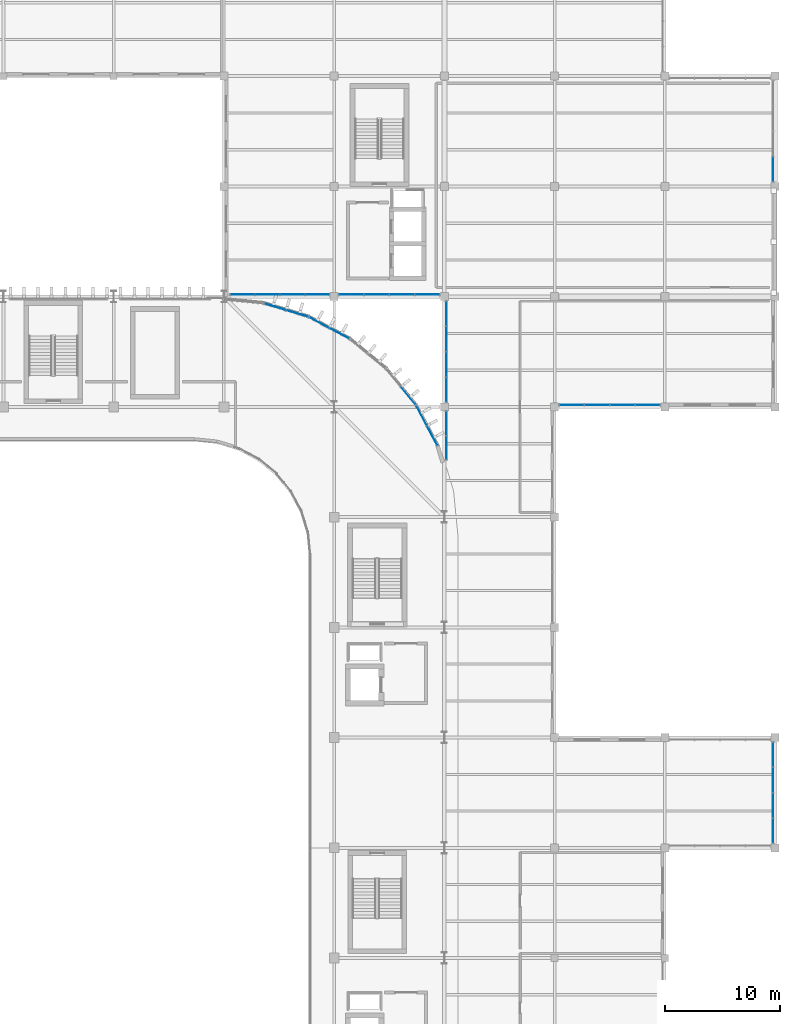
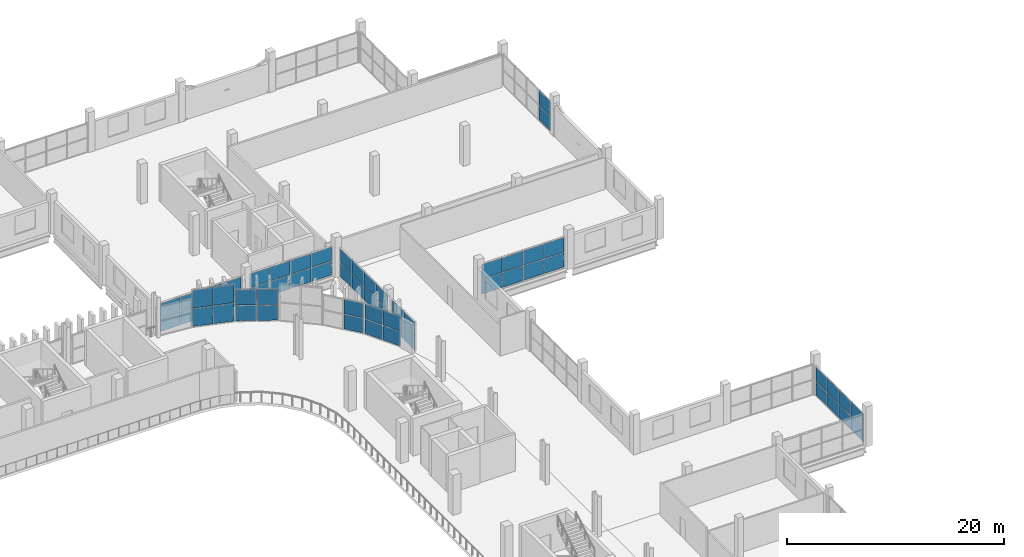
# One storey, part 53 of 92: 60 plates, 11 elements without a shape of their own.
"""IFC4 building model written with IfcOpenShell, lengths in metres."""

from ifc_helpers import new_model, si_unit, direction, frame, origin, origin_2d, place, context, subcontext, project, spatial, rectangle, extrude, material, layer, layer_set, type_object, element, aggregate, save


model = new_model("IFC4")

# Units and contexts
model_context = context("Model", 3, precision=1e-05, world=origin(), true_north=direction((0.0, 1.0)))
body_context = subcontext(model_context, "Body", "Model", "MODEL_VIEW")
ifc_project = project(units=[si_unit("LENGTHUNIT", "METRE"), si_unit("AREAUNIT", "SQUARE_METRE"), si_unit("VOLUMEUNIT", "CUBIC_METRE"), si_unit("PLANEANGLEUNIT", "RADIAN"), si_unit("MASSUNIT", "GRAM", prefix="KILO")], contexts=[model_context])

# Site, building, storey
site_placement = place(None, origin())
site = spatial("IfcSite", under=ifc_project, at=site_placement, CompositionType="ELEMENT")
building_placement = place(site_placement, origin())
building = spatial("IfcBuilding", under=site, at=building_placement, Name="Caelomonte Colonnade Arena", CompositionType="ELEMENT")
storey_placement = place(building_placement, frame((0.0, 0.0, 9.60009765625)))
storey = spatial("IfcBuildingStorey", under=building, at=storey_placement, Name="L02", CompositionType="ELEMENT", Elevation=9.60009765625)

# Curtain wall, plates
ifc_material_1 = material(Name="Bronze anodised aluminium and low-E glazing", Category="aluminium")
ifc_layer_1 = layer(ifc_material_1, 0.179931640625)
ifc_layer_set_1 = layer_set([ifc_layer_1], Name="Bronze anodised aluminium and low-E glazing")
curtain_wall_type_1 = type_object("IfcCurtainWallType", Name="ENV-CW-CW-L02-96-33", PredefinedType="USERDEFINED", material=ifc_layer_set_1)
curtain_wall_1_placement = place(storey_placement, origin())
curtain_wall_1 = element("IfcCurtainWall", 1, at=curtain_wall_1_placement, inside=storey, type_object=curtain_wall_type_1, Name="L02 unitized curtain wall CW-L02-1918-0720", ObjectType="UNITIZED CURTAIN WALL", PredefinedType="USERDEFINED")
ifc_material_2 = material(Name="Solar-control bronze low-E double glazing", Category="glass")
ifc_layer_2 = layer(ifc_material_2, 0.028076171875)
ifc_layer_set_2 = layer_set([ifc_layer_2], Name="Solar-control bronze low-E double glazing")
plate_type = type_object("IfcPlateType", Name="ENV-CW-PAN28", PredefinedType="CURTAIN_PANEL", material=ifc_layer_set_2)
plate_1_placement = place(storey_placement, frame((191.820068359375, 68.69384765625, 0.06494140625), z_axis=(0.0, 0.0, 1.0), x_axis=(0.0, 1.0, 0.0)))
plate_1 = element("IfcPlate", 2, at=plate_1_placement, type_object=plate_type, Name="CW-L02-96-33 panel 1.1", PredefinedType="CURTAIN_PANEL", context=body_context, shape_type="SweptSolid", body=[
    extrude(rectangle(XDim=2.117431640625, YDim=0.028076171875, at=origin_2d()), origin(), (0.0, 0.0, 1.0), 1.549072265625),
])
plate_2_placement = place(storey_placement, frame((191.820068359375, 68.69384765625, 1.6787109375), z_axis=(0.0, 0.0, 1.0), x_axis=(0.0, 1.0, 0.0)))
plate_2 = element("IfcPlate", 3, at=plate_2_placement, type_object=plate_type, Name="CW-L02-96-33 panel 1.2", PredefinedType="CURTAIN_PANEL", context=body_context, shape_type="SweptSolid", body=[
    extrude(rectangle(XDim=2.117431640625, YDim=0.028076171875, at=origin_2d()), origin(), (0.0, 0.0, 1.0), 1.549072265625),
])
plate_3_placement = place(storey_placement, frame((191.820068359375, 70.892578125, 0.06494140625), z_axis=(0.0, 0.0, 1.0), x_axis=(0.0, 1.0, 0.0)))
plate_3 = element("IfcPlate", 4, at=plate_3_placement, type_object=plate_type, Name="CW-L02-96-33 panel 2.1", PredefinedType="CURTAIN_PANEL", context=body_context, shape_type="SweptSolid", body=[
    extrude(rectangle(XDim=2.14990234375, YDim=0.028076171875, at=origin_2d()), origin(), (0.0, 0.0, 1.0), 1.549072265625),
])
plate_4_placement = place(storey_placement, frame((191.820068359375, 70.892578125, 1.6787109375), z_axis=(0.0, 0.0, 1.0), x_axis=(0.0, 1.0, 0.0)))
plate_4 = element("IfcPlate", 5, at=plate_4_placement, type_object=plate_type, Name="CW-L02-96-33 panel 2.2", PredefinedType="CURTAIN_PANEL", context=body_context, shape_type="SweptSolid", body=[
    extrude(rectangle(XDim=2.14990234375, YDim=0.028076171875, at=origin_2d()), origin(), (0.0, 0.0, 1.0), 1.549072265625),
])
plate_5_placement = place(storey_placement, frame((191.820068359375, 73.107421875, 0.06494140625), z_axis=(0.0, 0.0, 1.0), x_axis=(0.0, 1.0, 0.0)))
plate_5 = element("IfcPlate", 6, at=plate_5_placement, type_object=plate_type, Name="CW-L02-96-33 panel 3.1", PredefinedType="CURTAIN_PANEL", context=body_context, shape_type="SweptSolid", body=[
    extrude(rectangle(XDim=2.14990234375, YDim=0.028076171875, at=origin_2d()), origin(), (0.0, 0.0, 1.0), 1.549072265625),
])
plate_6_placement = place(storey_placement, frame((191.820068359375, 73.107421875, 1.6787109375), z_axis=(0.0, 0.0, 1.0), x_axis=(0.0, 1.0, 0.0)))
plate_6 = element("IfcPlate", 7, at=plate_6_placement, type_object=plate_type, Name="CW-L02-96-33 panel 3.2", PredefinedType="CURTAIN_PANEL", context=body_context, shape_type="SweptSolid", body=[
    extrude(rectangle(XDim=2.14990234375, YDim=0.028076171875, at=origin_2d()), origin(), (0.0, 0.0, 1.0), 1.549072265625),
])
plate_7_placement = place(storey_placement, frame((191.820068359375, 75.30615234375, 0.06494140625), z_axis=(0.0, 0.0, 1.0), x_axis=(0.0, 1.0, 0.0)))
plate_7 = element("IfcPlate", 8, at=plate_7_placement, type_object=plate_type, Name="CW-L02-96-33 panel 4.1", PredefinedType="CURTAIN_PANEL", context=body_context, shape_type="SweptSolid", body=[
    extrude(rectangle(XDim=2.117431640625, YDim=0.028076171875, at=origin_2d()), origin(), (0.0, 0.0, 1.0), 1.549072265625),
])
plate_8_placement = place(storey_placement, frame((191.820068359375, 75.30615234375, 1.6787109375), z_axis=(0.0, 0.0, 1.0), x_axis=(0.0, 1.0, 0.0)))
plate_8 = element("IfcPlate", 9, at=plate_8_placement, type_object=plate_type, Name="CW-L02-96-33 panel 4.2", PredefinedType="CURTAIN_PANEL", context=body_context, shape_type="SweptSolid", body=[
    extrude(rectangle(XDim=2.117431640625, YDim=0.028076171875, at=origin_2d()), origin(), (0.0, 0.0, 1.0), 1.549072265625),
])
aggregate(curtain_wall_1, [plate_1, plate_2, plate_3, plate_4, plate_5, plate_6, plate_7, plate_8])

ifc_layer_3 = layer(ifc_material_1, 0.179931640625)
ifc_layer_set_3 = layer_set([ifc_layer_3], Name="Bronze anodised aluminium and low-E glazing")
curtain_wall_type_2 = type_object("IfcCurtainWallType", Name="ENV-CW-CW-L02-96-35", PredefinedType="USERDEFINED", material=ifc_layer_set_3)
curtain_wall_2_placement = place(storey_placement, origin())
curtain_wall_2 = element("IfcCurtainWall", 10, at=curtain_wall_2_placement, inside=storey, type_object=curtain_wall_type_2, Name="L02 unitized curtain wall CW-L02-1776-1058", ObjectType="UNITIZED CURTAIN WALL", PredefinedType="USERDEFINED")
plate_9_placement = place(storey_placement, frame((174.293701171875, 105.780029296875, 0.06494140625), z_axis=(0.0, 0.0, 1.0), x_axis=(1.0, 0.0, 0.0)))
plate_9 = element("IfcPlate", 11, at=plate_9_placement, type_object=plate_type, Name="CW-L02-96-35 panel 1.1", PredefinedType="CURTAIN_PANEL", context=body_context, shape_type="SweptSolid", body=[
    extrude(rectangle(XDim=2.117431640625, YDim=0.028076171875, at=origin_2d()), origin(), (0.0, 0.0, 1.0), 1.63525390625),
])
plate_10_placement = place(storey_placement, frame((174.293701171875, 105.780029296875, 1.76513671875), z_axis=(0.0, 0.0, 1.0), x_axis=(1.0, 0.0, 0.0)))
plate_10 = element("IfcPlate", 12, at=plate_10_placement, type_object=plate_type, Name="CW-L02-96-35 panel 1.2", PredefinedType="CURTAIN_PANEL", context=body_context, shape_type="SweptSolid", body=[
    extrude(rectangle(XDim=2.117431640625, YDim=0.028076171875, at=origin_2d()), origin(), (0.0, 0.0, 1.0), 1.63525390625),
])
plate_11_placement = place(storey_placement, frame((176.492431640625, 105.780029296875, 0.06494140625), z_axis=(0.0, 0.0, 1.0), x_axis=(1.0, 0.0, 0.0)))
plate_11 = element("IfcPlate", 13, at=plate_11_placement, type_object=plate_type, Name="CW-L02-96-35 panel 2.1", PredefinedType="CURTAIN_PANEL", context=body_context, shape_type="SweptSolid", body=[
    extrude(rectangle(XDim=2.14990234375, YDim=0.028076171875, at=origin_2d()), origin(), (0.0, 0.0, 1.0), 1.63525390625),
])
plate_12_placement = place(storey_placement, frame((176.492431640625, 105.780029296875, 1.76513671875), z_axis=(0.0, 0.0, 1.0), x_axis=(1.0, 0.0, 0.0)))
plate_12 = element("IfcPlate", 14, at=plate_12_placement, type_object=plate_type, Name="CW-L02-96-35 panel 2.2", PredefinedType="CURTAIN_PANEL", context=body_context, shape_type="SweptSolid", body=[
    extrude(rectangle(XDim=2.14990234375, YDim=0.028076171875, at=origin_2d()), origin(), (0.0, 0.0, 1.0), 1.63525390625),
])
plate_13_placement = place(storey_placement, frame((178.70751953125, 105.780029296875, 0.06494140625), z_axis=(0.0, 0.0, 1.0), x_axis=(1.0, 0.0, 0.0)))
plate_13 = element("IfcPlate", 15, at=plate_13_placement, type_object=plate_type, Name="CW-L02-96-35 panel 3.1", PredefinedType="CURTAIN_PANEL", context=body_context, shape_type="SweptSolid", body=[
    extrude(rectangle(XDim=2.14990234375, YDim=0.028076171875, at=origin_2d()), origin(), (0.0, 0.0, 1.0), 1.63525390625),
])
plate_14_placement = place(storey_placement, frame((178.70751953125, 105.780029296875, 1.76513671875), z_axis=(0.0, 0.0, 1.0), x_axis=(1.0, 0.0, 0.0)))
plate_14 = element("IfcPlate", 16, at=plate_14_placement, type_object=plate_type, Name="CW-L02-96-35 panel 3.2", PredefinedType="CURTAIN_PANEL", context=body_context, shape_type="SweptSolid", body=[
    extrude(rectangle(XDim=2.14990234375, YDim=0.028076171875, at=origin_2d()), origin(), (0.0, 0.0, 1.0), 1.63525390625),
])
plate_15_placement = place(storey_placement, frame((180.90625, 105.780029296875, 0.06494140625), z_axis=(0.0, 0.0, 1.0), x_axis=(1.0, 0.0, 0.0)))
plate_15 = element("IfcPlate", 17, at=plate_15_placement, type_object=plate_type, Name="CW-L02-96-35 panel 4.1", PredefinedType="CURTAIN_PANEL", context=body_context, shape_type="SweptSolid", body=[
    extrude(rectangle(XDim=2.117431640625, YDim=0.028076171875, at=origin_2d()), origin(), (0.0, 0.0, 1.0), 1.63525390625),
])
plate_16_placement = place(storey_placement, frame((180.90625, 105.780029296875, 1.76513671875), z_axis=(0.0, 0.0, 1.0), x_axis=(1.0, 0.0, 0.0)))
plate_16 = element("IfcPlate", 18, at=plate_16_placement, type_object=plate_type, Name="CW-L02-96-35 panel 4.2", PredefinedType="CURTAIN_PANEL", context=body_context, shape_type="SweptSolid", body=[
    extrude(rectangle(XDim=2.117431640625, YDim=0.028076171875, at=origin_2d()), origin(), (0.0, 0.0, 1.0), 1.63525390625),
])
aggregate(curtain_wall_2, [plate_9, plate_10, plate_11, plate_12, plate_13, plate_14, plate_15, plate_16])

curtain_wall_3_placement = place(storey_placement, origin())
curtain_wall_3 = element("IfcCurtainWall", 19, at=curtain_wall_3_placement, inside=storey, type_object=curtain_wall_type_2, Name="L02 unitized curtain wall CW-L02-1918-1296", ObjectType="UNITIZED CURTAIN WALL", PredefinedType="USERDEFINED")
plate_17_placement = place(storey_placement, frame((191.820068359375, 126.293701171875, 0.06494140625), z_axis=(0.0, 0.0, 1.0), x_axis=(0.0, 1.0, 0.0)))
plate_17 = element("IfcPlate", 20, at=plate_17_placement, type_object=plate_type, Name="CW-L02-96-35 panel 1.1", PredefinedType="CURTAIN_PANEL", context=body_context, shape_type="SweptSolid", body=[
    extrude(rectangle(XDim=2.117431640625, YDim=0.028076171875, at=origin_2d()), origin(), (0.0, 0.0, 1.0), 1.637451171875),
])
plate_18_placement = place(storey_placement, frame((191.820068359375, 126.293701171875, 1.767578125), z_axis=(0.0, 0.0, 1.0), x_axis=(0.0, 1.0, 0.0)))
plate_18 = element("IfcPlate", 21, at=plate_18_placement, type_object=plate_type, Name="CW-L02-96-35 panel 1.2", PredefinedType="CURTAIN_PANEL", context=body_context, shape_type="SweptSolid", body=[
    extrude(rectangle(XDim=2.117431640625, YDim=0.028076171875, at=origin_2d()), origin(), (0.0, 0.0, 1.0), 1.637451171875),
])
aggregate(curtain_wall_3, [plate_17, plate_18])

curtain_wall_4_placement = place(storey_placement, origin())
curtain_wall_4 = element("IfcCurtainWall", 22, at=curtain_wall_4_placement, inside=storey, type_object=curtain_wall_type_1, Name="L02 unitized curtain wall CW-L02-1488-1154", ObjectType="UNITIZED CURTAIN WALL", PredefinedType="USERDEFINED")
plate_19_placement = place(storey_placement, frame((145.631103515625, 115.3798828125, 0.06982421875), z_axis=(0.0, 0.0, 1.0), x_axis=(1.0, 0.0, 0.0)))
plate_19 = element("IfcPlate", 23, at=plate_19_placement, type_object=plate_type, Name="CW-L02-96-33 panel 1.1", PredefinedType="CURTAIN_PANEL", context=body_context, shape_type="SweptSolid", body=[
    extrude(rectangle(XDim=2.071044921875, YDim=0.028076171875, at=origin_2d()), origin(), (0.0, 0.0, 1.0), 1.54150390625),
])
plate_20_placement = place(storey_placement, frame((145.631103515625, 115.3798828125, 1.681396484375), z_axis=(0.0, 0.0, 1.0), x_axis=(1.0, 0.0, 0.0)))
plate_20 = element("IfcPlate", 24, at=plate_20_placement, type_object=plate_type, Name="CW-L02-96-33 panel 1.2", PredefinedType="CURTAIN_PANEL", context=body_context, shape_type="SweptSolid", body=[
    extrude(rectangle(XDim=2.071044921875, YDim=0.028076171875, at=origin_2d()), origin(), (0.0, 0.0, 1.0), 1.54150390625),
])
plate_21_placement = place(storey_placement, frame((147.789794921875, 115.3798828125, 0.06982421875), z_axis=(0.0, 0.0, 1.0), x_axis=(1.0, 0.0, 0.0)))
plate_21 = element("IfcPlate", 25, at=plate_21_placement, type_object=plate_type, Name="CW-L02-96-33 panel 2.1", PredefinedType="CURTAIN_PANEL", context=body_context, shape_type="SweptSolid", body=[
    extrude(rectangle(XDim=2.106201171875, YDim=0.028076171875, at=origin_2d()), origin(), (0.0, 0.0, 1.0), 1.54150390625),
])
plate_22_placement = place(storey_placement, frame((147.789794921875, 115.3798828125, 1.681396484375), z_axis=(0.0, 0.0, 1.0), x_axis=(1.0, 0.0, 0.0)))
plate_22 = element("IfcPlate", 26, at=plate_22_placement, type_object=plate_type, Name="CW-L02-96-33 panel 2.2", PredefinedType="CURTAIN_PANEL", context=body_context, shape_type="SweptSolid", body=[
    extrude(rectangle(XDim=2.106201171875, YDim=0.028076171875, at=origin_2d()), origin(), (0.0, 0.0, 1.0), 1.54150390625),
])
plate_23_placement = place(storey_placement, frame((149.9658203125, 115.3798828125, 0.06982421875), z_axis=(0.0, 0.0, 1.0), x_axis=(1.0, 0.0, 0.0)))
plate_23 = element("IfcPlate", 27, at=plate_23_placement, type_object=plate_type, Name="CW-L02-96-33 panel 3.1", PredefinedType="CURTAIN_PANEL", context=body_context, shape_type="SweptSolid", body=[
    extrude(rectangle(XDim=2.106201171875, YDim=0.028076171875, at=origin_2d()), origin(), (0.0, 0.0, 1.0), 1.54150390625),
])
plate_24_placement = place(storey_placement, frame((149.9658203125, 115.3798828125, 1.681396484375), z_axis=(0.0, 0.0, 1.0), x_axis=(1.0, 0.0, 0.0)))
plate_24 = element("IfcPlate", 28, at=plate_24_placement, type_object=plate_type, Name="CW-L02-96-33 panel 3.2", PredefinedType="CURTAIN_PANEL", context=body_context, shape_type="SweptSolid", body=[
    extrude(rectangle(XDim=2.106201171875, YDim=0.028076171875, at=origin_2d()), origin(), (0.0, 0.0, 1.0), 1.54150390625),
])
plate_25_placement = place(storey_placement, frame((152.12451171875, 115.3798828125, 0.06982421875), z_axis=(0.0, 0.0, 1.0), x_axis=(1.0, 0.0, 0.0)))
plate_25 = element("IfcPlate", 29, at=plate_25_placement, type_object=plate_type, Name="CW-L02-96-33 panel 4.1", PredefinedType="CURTAIN_PANEL", context=body_context, shape_type="SweptSolid", body=[
    extrude(rectangle(XDim=2.071044921875, YDim=0.028076171875, at=origin_2d()), origin(), (0.0, 0.0, 1.0), 1.54150390625),
])
plate_26_placement = place(storey_placement, frame((152.12451171875, 115.3798828125, 1.681396484375), z_axis=(0.0, 0.0, 1.0), x_axis=(1.0, 0.0, 0.0)))
plate_26 = element("IfcPlate", 30, at=plate_26_placement, type_object=plate_type, Name="CW-L02-96-33 panel 4.2", PredefinedType="CURTAIN_PANEL", context=body_context, shape_type="SweptSolid", body=[
    extrude(rectangle(XDim=2.071044921875, YDim=0.028076171875, at=origin_2d()), origin(), (0.0, 0.0, 1.0), 1.54150390625),
])
aggregate(curtain_wall_4, [plate_19, plate_20, plate_21, plate_22, plate_23, plate_24, plate_25, plate_26])

curtain_wall_5_placement = place(storey_placement, origin())
curtain_wall_5 = element("IfcCurtainWall", 31, at=curtain_wall_5_placement, inside=storey, type_object=curtain_wall_type_1, Name="L02 unitized curtain wall CW-L02-1584-1154", ObjectType="UNITIZED CURTAIN WALL", PredefinedType="USERDEFINED")
plate_27_placement = place(storey_placement, frame((155.094970703125, 115.3798828125, 0.06982421875), z_axis=(0.0, 0.0, 1.0), x_axis=(1.0, 0.0, 0.0)))
plate_27 = element("IfcPlate", 32, at=plate_27_placement, type_object=plate_type, Name="CW-L02-96-33 panel 1.1", PredefinedType="CURTAIN_PANEL", context=body_context, shape_type="SweptSolid", body=[
    extrude(rectangle(XDim=2.110107421875, YDim=0.028076171875, at=origin_2d()), origin(), (0.0, 0.0, 1.0), 1.54150390625),
])
plate_28_placement = place(storey_placement, frame((155.094970703125, 115.3798828125, 1.681396484375), z_axis=(0.0, 0.0, 1.0), x_axis=(1.0, 0.0, 0.0)))
plate_28 = element("IfcPlate", 33, at=plate_28_placement, type_object=plate_type, Name="CW-L02-96-33 panel 1.2", PredefinedType="CURTAIN_PANEL", context=body_context, shape_type="SweptSolid", body=[
    extrude(rectangle(XDim=2.110107421875, YDim=0.028076171875, at=origin_2d()), origin(), (0.0, 0.0, 1.0), 1.54150390625),
])
plate_29_placement = place(storey_placement, frame((157.29248046875, 115.3798828125, 0.06982421875), z_axis=(0.0, 0.0, 1.0), x_axis=(1.0, 0.0, 0.0)))
plate_29 = element("IfcPlate", 34, at=plate_29_placement, type_object=plate_type, Name="CW-L02-96-33 panel 2.1", PredefinedType="CURTAIN_PANEL", context=body_context, shape_type="SweptSolid", body=[
    extrude(rectangle(XDim=2.14501953125, YDim=0.028076171875, at=origin_2d()), origin(), (0.0, 0.0, 1.0), 1.54150390625),
])
plate_30_placement = place(storey_placement, frame((157.29248046875, 115.3798828125, 1.681396484375), z_axis=(0.0, 0.0, 1.0), x_axis=(1.0, 0.0, 0.0)))
plate_30 = element("IfcPlate", 35, at=plate_30_placement, type_object=plate_type, Name="CW-L02-96-33 panel 2.2", PredefinedType="CURTAIN_PANEL", context=body_context, shape_type="SweptSolid", body=[
    extrude(rectangle(XDim=2.14501953125, YDim=0.028076171875, at=origin_2d()), origin(), (0.0, 0.0, 1.0), 1.54150390625),
])
plate_31_placement = place(storey_placement, frame((159.507568359375, 115.3798828125, 0.06982421875), z_axis=(0.0, 0.0, 1.0), x_axis=(1.0, 0.0, 0.0)))
plate_31 = element("IfcPlate", 36, at=plate_31_placement, type_object=plate_type, Name="CW-L02-96-33 panel 3.1", PredefinedType="CURTAIN_PANEL", context=body_context, shape_type="SweptSolid", body=[
    extrude(rectangle(XDim=2.14501953125, YDim=0.028076171875, at=origin_2d()), origin(), (0.0, 0.0, 1.0), 1.54150390625),
])
plate_32_placement = place(storey_placement, frame((159.507568359375, 115.3798828125, 1.681396484375), z_axis=(0.0, 0.0, 1.0), x_axis=(1.0, 0.0, 0.0)))
plate_32 = element("IfcPlate", 37, at=plate_32_placement, type_object=plate_type, Name="CW-L02-96-33 panel 3.2", PredefinedType="CURTAIN_PANEL", context=body_context, shape_type="SweptSolid", body=[
    extrude(rectangle(XDim=2.14501953125, YDim=0.028076171875, at=origin_2d()), origin(), (0.0, 0.0, 1.0), 1.54150390625),
])
plate_33_placement = place(storey_placement, frame((161.705078125, 115.3798828125, 0.06982421875), z_axis=(0.0, 0.0, 1.0), x_axis=(1.0, 0.0, 0.0)))
plate_33 = element("IfcPlate", 38, at=plate_33_placement, type_object=plate_type, Name="CW-L02-96-33 panel 4.1", PredefinedType="CURTAIN_PANEL", context=body_context, shape_type="SweptSolid", body=[
    extrude(rectangle(XDim=2.110107421875, YDim=0.028076171875, at=origin_2d()), origin(), (0.0, 0.0, 1.0), 1.54150390625),
])
plate_34_placement = place(storey_placement, frame((161.705078125, 115.3798828125, 1.681396484375), z_axis=(0.0, 0.0, 1.0), x_axis=(1.0, 0.0, 0.0)))
plate_34 = element("IfcPlate", 39, at=plate_34_placement, type_object=plate_type, Name="CW-L02-96-33 panel 4.2", PredefinedType="CURTAIN_PANEL", context=body_context, shape_type="SweptSolid", body=[
    extrude(rectangle(XDim=2.110107421875, YDim=0.028076171875, at=origin_2d()), origin(), (0.0, 0.0, 1.0), 1.54150390625),
])
aggregate(curtain_wall_5, [plate_27, plate_28, plate_29, plate_30, plate_31, plate_32, plate_33, plate_34])

curtain_wall_6_placement = place(storey_placement, origin())
curtain_wall_6 = element("IfcCurtainWall", 40, at=curtain_wall_6_placement, inside=storey, type_object=curtain_wall_type_1, Name="L02 unitized curtain wall CW-L02-1634-1104", ObjectType="UNITIZED CURTAIN WALL", PredefinedType="USERDEFINED")
plate_35_placement = place(storey_placement, frame((163.3798828125, 113.705078125, 0.06982421875), z_axis=(0.0, 0.0, 1.0), x_axis=(0.0, -1.0, 0.0)))
plate_35 = element("IfcPlate", 41, at=plate_35_placement, type_object=plate_type, Name="CW-L02-96-33 panel 1.1", PredefinedType="CURTAIN_PANEL", context=body_context, shape_type="SweptSolid", body=[
    extrude(rectangle(XDim=2.110107421875, YDim=0.028076171875, at=origin_2d()), origin(), (0.0, 0.0, 1.0), 1.54150390625),
])
plate_36_placement = place(storey_placement, frame((163.3798828125, 113.705078125, 1.681396484375), z_axis=(0.0, 0.0, 1.0), x_axis=(0.0, -1.0, 0.0)))
plate_36 = element("IfcPlate", 42, at=plate_36_placement, type_object=plate_type, Name="CW-L02-96-33 panel 1.2", PredefinedType="CURTAIN_PANEL", context=body_context, shape_type="SweptSolid", body=[
    extrude(rectangle(XDim=2.110107421875, YDim=0.028076171875, at=origin_2d()), origin(), (0.0, 0.0, 1.0), 1.54150390625),
])
plate_37_placement = place(storey_placement, frame((163.3798828125, 111.507568359375, 0.06982421875), z_axis=(0.0, 0.0, 1.0), x_axis=(0.0, -1.0, 0.0)))
plate_37 = element("IfcPlate", 43, at=plate_37_placement, type_object=plate_type, Name="CW-L02-96-33 panel 2.1", PredefinedType="CURTAIN_PANEL", context=body_context, shape_type="SweptSolid", body=[
    extrude(rectangle(XDim=2.14501953125, YDim=0.028076171875, at=origin_2d()), origin(), (0.0, 0.0, 1.0), 1.54150390625),
])
plate_38_placement = place(storey_placement, frame((163.3798828125, 111.507568359375, 1.681396484375), z_axis=(0.0, 0.0, 1.0), x_axis=(0.0, -1.0, 0.0)))
plate_38 = element("IfcPlate", 44, at=plate_38_placement, type_object=plate_type, Name="CW-L02-96-33 panel 2.2", PredefinedType="CURTAIN_PANEL", context=body_context, shape_type="SweptSolid", body=[
    extrude(rectangle(XDim=2.14501953125, YDim=0.028076171875, at=origin_2d()), origin(), (0.0, 0.0, 1.0), 1.54150390625),
])
plate_39_placement = place(storey_placement, frame((163.3798828125, 109.29248046875, 0.06982421875), z_axis=(0.0, 0.0, 1.0), x_axis=(0.0, -1.0, 0.0)))
plate_39 = element("IfcPlate", 45, at=plate_39_placement, type_object=plate_type, Name="CW-L02-96-33 panel 3.1", PredefinedType="CURTAIN_PANEL", context=body_context, shape_type="SweptSolid", body=[
    extrude(rectangle(XDim=2.14501953125, YDim=0.028076171875, at=origin_2d()), origin(), (0.0, 0.0, 1.0), 1.54150390625),
])
plate_40_placement = place(storey_placement, frame((163.3798828125, 109.29248046875, 1.681396484375), z_axis=(0.0, 0.0, 1.0), x_axis=(0.0, -1.0, 0.0)))
plate_40 = element("IfcPlate", 46, at=plate_40_placement, type_object=plate_type, Name="CW-L02-96-33 panel 3.2", PredefinedType="CURTAIN_PANEL", context=body_context, shape_type="SweptSolid", body=[
    extrude(rectangle(XDim=2.14501953125, YDim=0.028076171875, at=origin_2d()), origin(), (0.0, 0.0, 1.0), 1.54150390625),
])
plate_41_placement = place(storey_placement, frame((163.3798828125, 107.094970703125, 0.06982421875), z_axis=(0.0, 0.0, 1.0), x_axis=(0.0, -1.0, 0.0)))
plate_41 = element("IfcPlate", 47, at=plate_41_placement, type_object=plate_type, Name="CW-L02-96-33 panel 4.1", PredefinedType="CURTAIN_PANEL", context=body_context, shape_type="SweptSolid", body=[
    extrude(rectangle(XDim=2.110107421875, YDim=0.028076171875, at=origin_2d()), origin(), (0.0, 0.0, 1.0), 1.54150390625),
])
plate_42_placement = place(storey_placement, frame((163.3798828125, 107.094970703125, 1.681396484375), z_axis=(0.0, 0.0, 1.0), x_axis=(0.0, -1.0, 0.0)))
plate_42 = element("IfcPlate", 48, at=plate_42_placement, type_object=plate_type, Name="CW-L02-96-33 panel 4.2", PredefinedType="CURTAIN_PANEL", context=body_context, shape_type="SweptSolid", body=[
    extrude(rectangle(XDim=2.110107421875, YDim=0.028076171875, at=origin_2d()), origin(), (0.0, 0.0, 1.0), 1.54150390625),
])
aggregate(curtain_wall_6, [plate_35, plate_36, plate_37, plate_38, plate_39, plate_40, plate_41, plate_42])

ifc_layer_4 = layer(ifc_material_1, 0.179931640625)
ifc_layer_set_4 = layer_set([ifc_layer_4], Name="Bronze anodised aluminium and low-E glazing")
curtain_wall_type_3 = type_object("IfcCurtainWallType", Name="ENV-CW-CW-L02-48-33", PredefinedType="USERDEFINED", material=ifc_layer_set_4)
curtain_wall_7_placement = place(storey_placement, origin())
curtain_wall_7 = element("IfcCurtainWall", 49, at=curtain_wall_7_placement, inside=storey, type_object=curtain_wall_type_3, Name="L02 unitized curtain wall CW-L02-1634-1032", ObjectType="UNITIZED CURTAIN WALL", PredefinedType="USERDEFINED")
plate_43_placement = place(storey_placement, frame((163.3798828125, 104.146240234375, 0.06982421875), z_axis=(0.0, 0.0, 1.0), x_axis=(0.0, -1.0, 0.0)))
plate_43 = element("IfcPlate", 50, at=plate_43_placement, type_object=plate_type, Name="CW-L02-48-33 panel 1.1", PredefinedType="CURTAIN_PANEL", context=body_context, shape_type="SweptSolid", body=[
    extrude(rectangle(XDim=2.02783203125, YDim=0.028076171875, at=origin_2d()), origin(), (0.0, 0.0, 1.0), 1.54150390625),
])
plate_44_placement = place(storey_placement, frame((163.3798828125, 104.146240234375, 1.681396484375), z_axis=(0.0, 0.0, 1.0), x_axis=(0.0, -1.0, 0.0)))
plate_44 = element("IfcPlate", 51, at=plate_44_placement, type_object=plate_type, Name="CW-L02-48-33 panel 1.2", PredefinedType="CURTAIN_PANEL", context=body_context, shape_type="SweptSolid", body=[
    extrude(rectangle(XDim=2.02783203125, YDim=0.028076171875, at=origin_2d()), origin(), (0.0, 0.0, 1.0), 1.54150390625),
])
plate_45_placement = place(storey_placement, frame((163.3798828125, 102.04833984375, 0.06982421875), z_axis=(0.0, 0.0, 1.0), x_axis=(0.0, -1.0, 0.0)))
plate_45 = element("IfcPlate", 52, at=plate_45_placement, type_object=plate_type, Name="CW-L02-48-33 panel 2.1", PredefinedType="CURTAIN_PANEL", context=body_context, shape_type="SweptSolid", body=[
    extrude(rectangle(XDim=2.02783203125, YDim=0.028076171875, at=origin_2d()), origin(), (0.0, 0.0, 1.0), 1.54150390625),
])
plate_46_placement = place(storey_placement, frame((163.3798828125, 102.04833984375, 1.681396484375), z_axis=(0.0, 0.0, 1.0), x_axis=(0.0, -1.0, 0.0)))
plate_46 = element("IfcPlate", 53, at=plate_46_placement, type_object=plate_type, Name="CW-L02-48-33 panel 2.2", PredefinedType="CURTAIN_PANEL", context=body_context, shape_type="SweptSolid", body=[
    extrude(rectangle(XDim=2.02783203125, YDim=0.028076171875, at=origin_2d()), origin(), (0.0, 0.0, 1.0), 1.54150390625),
])
aggregate(curtain_wall_7, [plate_43, plate_44, plate_45, plate_46])

ifc_layer_5 = layer(ifc_material_1, 0.179931640625)
ifc_layer_set_5 = layer_set([ifc_layer_5], Name="Bronze anodised aluminium and low-E glazing")
curtain_wall_type_4 = type_object("IfcCurtainWallType", Name="ENV-CW-CW-L02-44-35", PredefinedType="USERDEFINED", material=ifc_layer_set_5)
curtain_wall_8_placement = place(storey_placement, origin())
curtain_wall_8 = element("IfcCurtainWall", 54, at=curtain_wall_8_placement, inside=storey, type_object=curtain_wall_type_4, Name="L02 unitized curtain wall CW-L02-1617-1040", ObjectType="UNITIZED CURTAIN WALL", PredefinedType="USERDEFINED")
plate_47_placement = place(storey_placement, frame((162.139892578125, 103.09228515625, 0.06982421875), z_axis=(0.0, 0.0, 1.0), x_axis=(-0.471394212466, 0.881922613642, 0.0)))
plate_47 = element("IfcPlate", 55, at=plate_47_placement, type_object=plate_type, Name="CW-L02-44-35 panel 1.1", PredefinedType="CURTAIN_PANEL", context=body_context, shape_type="SweptSolid", body=[
    extrude(rectangle(XDim=1.913330078125, YDim=0.028076171875, at=origin_2d()), origin(), (0.0, 0.0, 1.0), 1.627685546875),
])
plate_48_placement = place(storey_placement, frame((162.139892578125, 103.09228515625, 1.767578125), z_axis=(0.0, 0.0, 1.0), x_axis=(-0.471394212466, 0.881922613642, 0.0)))
plate_48 = element("IfcPlate", 56, at=plate_48_placement, type_object=plate_type, Name="CW-L02-44-35 panel 1.2", PredefinedType="CURTAIN_PANEL", context=body_context, shape_type="SweptSolid", body=[
    extrude(rectangle(XDim=1.913330078125, YDim=0.028076171875, at=origin_2d()), origin(), (0.0, 0.0, 1.0), 1.627685546875),
])
plate_49_placement = place(storey_placement, frame((161.205078125, 104.841552734375, 0.06982421875), z_axis=(0.0, 0.0, 1.0), x_axis=(-0.471394212466, 0.881922613642, 0.0)))
plate_49 = element("IfcPlate", 57, at=plate_49_placement, type_object=plate_type, Name="CW-L02-44-35 panel 2.1", PredefinedType="CURTAIN_PANEL", context=body_context, shape_type="SweptSolid", body=[
    extrude(rectangle(XDim=1.913330078125, YDim=0.028076171875, at=origin_2d()), origin(), (0.0, 0.0, 1.0), 1.627685546875),
])
plate_50_placement = place(storey_placement, frame((161.205078125, 104.841552734375, 1.767578125), z_axis=(0.0, 0.0, 1.0), x_axis=(-0.471394212466, 0.881922613642, 0.0)))
plate_50 = element("IfcPlate", 58, at=plate_50_placement, type_object=plate_type, Name="CW-L02-44-35 panel 2.2", PredefinedType="CURTAIN_PANEL", context=body_context, shape_type="SweptSolid", body=[
    extrude(rectangle(XDim=1.913330078125, YDim=0.028076171875, at=origin_2d()), origin(), (0.0, 0.0, 1.0), 1.627685546875),
])
aggregate(curtain_wall_8, [plate_47, plate_48, plate_49, plate_50])

curtain_wall_9_placement = place(storey_placement, origin())
curtain_wall_9 = element("IfcCurtainWall", 59, at=curtain_wall_9_placement, inside=storey, type_object=curtain_wall_type_4, Name="L02 unitized curtain wall CW-L02-1594-1073", ObjectType="UNITIZED CURTAIN WALL", PredefinedType="USERDEFINED")
plate_51_placement = place(storey_placement, frame((160.045166015625, 106.577392578125, 0.06982421875), z_axis=(0.0, 0.0, 1.0), x_axis=(-0.634416071163, 0.772991751994, 0.0)))
plate_51 = element("IfcPlate", 60, at=plate_51_placement, type_object=plate_type, Name="CW-L02-44-35 panel 1.1", PredefinedType="CURTAIN_PANEL", context=body_context, shape_type="SweptSolid", body=[
    extrude(rectangle(XDim=1.913330078125, YDim=0.028076171875, at=origin_2d()), origin(), (0.0, 0.0, 1.0), 1.627685546875),
])
plate_52_placement = place(storey_placement, frame((160.045166015625, 106.577392578125, 1.767578125), z_axis=(0.0, 0.0, 1.0), x_axis=(-0.634416071163, 0.772991751994, 0.0)))
plate_52 = element("IfcPlate", 61, at=plate_52_placement, type_object=plate_type, Name="CW-L02-44-35 panel 1.2", PredefinedType="CURTAIN_PANEL", context=body_context, shape_type="SweptSolid", body=[
    extrude(rectangle(XDim=1.913330078125, YDim=0.028076171875, at=origin_2d()), origin(), (0.0, 0.0, 1.0), 1.627685546875),
])
aggregate(curtain_wall_9, [plate_51, plate_52])

ifc_layer_6 = layer(ifc_material_1, 0.179931640625)
ifc_layer_set_6 = layer_set([ifc_layer_6], Name="Bronze anodised aluminium and low-E glazing")
curtain_wall_type_5 = type_object("IfcCurtainWallType", Name="ENV-CW-CW-L02-44-36", PredefinedType="USERDEFINED", material=ifc_layer_set_6)
curtain_wall_10_placement = place(storey_placement, origin())
curtain_wall_10 = element("IfcCurtainWall", 62, at=curtain_wall_10_placement, inside=storey, type_object=curtain_wall_type_5, Name="L02 unitized curtain wall CW-L02-1532-1125", ObjectType="UNITIZED CURTAIN WALL", PredefinedType="USERDEFINED")
plate_53_placement = place(storey_placement, frame((154.04150390625, 112.0048828125, 0.06982421875), z_axis=(0.0, 0.0, 1.0), x_axis=(-0.881922613642, 0.471394212466, 0.0)))
plate_53 = element("IfcPlate", 63, at=plate_53_placement, type_object=plate_type, Name="CW-L02-44-36 panel 1.1", PredefinedType="CURTAIN_PANEL", context=body_context, shape_type="SweptSolid", body=[
    extrude(rectangle(XDim=1.913330078125, YDim=0.028076171875, at=origin_2d()), origin(), (0.0, 0.0, 1.0), 1.701416015625),
])
plate_54_placement = place(storey_placement, frame((154.04150390625, 112.0048828125, 1.84130859375), z_axis=(0.0, 0.0, 1.0), x_axis=(-0.881922613642, 0.471394212466, 0.0)))
plate_54 = element("IfcPlate", 64, at=plate_54_placement, type_object=plate_type, Name="CW-L02-44-36 panel 1.2", PredefinedType="CURTAIN_PANEL", context=body_context, shape_type="SweptSolid", body=[
    extrude(rectangle(XDim=1.913330078125, YDim=0.028076171875, at=origin_2d()), origin(), (0.0, 0.0, 1.0), 1.701416015625),
])
plate_55_placement = place(storey_placement, frame((152.292236328125, 112.93994140625, 0.06982421875), z_axis=(0.0, 0.0, 1.0), x_axis=(-0.881922613642, 0.471394212466, 0.0)))
plate_55 = element("IfcPlate", 65, at=plate_55_placement, type_object=plate_type, Name="CW-L02-44-36 panel 2.1", PredefinedType="CURTAIN_PANEL", context=body_context, shape_type="SweptSolid", body=[
    extrude(rectangle(XDim=1.913330078125, YDim=0.028076171875, at=origin_2d()), origin(), (0.0, 0.0, 1.0), 1.701416015625),
])
plate_56_placement = place(storey_placement, frame((152.292236328125, 112.93994140625, 1.84130859375), z_axis=(0.0, 0.0, 1.0), x_axis=(-0.881922613642, 0.471394212466, 0.0)))
plate_56 = element("IfcPlate", 66, at=plate_56_placement, type_object=plate_type, Name="CW-L02-44-36 panel 2.2", PredefinedType="CURTAIN_PANEL", context=body_context, shape_type="SweptSolid", body=[
    extrude(rectangle(XDim=1.913330078125, YDim=0.028076171875, at=origin_2d()), origin(), (0.0, 0.0, 1.0), 1.701416015625),
])
aggregate(curtain_wall_10, [plate_53, plate_54, plate_55, plate_56])

ifc_layer_7 = layer(ifc_material_1, 0.179931640625)
ifc_layer_set_7 = layer_set([ifc_layer_7], Name="Bronze anodised aluminium and low-E glazing")
curtain_wall_type_6 = type_object("IfcCurtainWallType", Name="ENV-CW-CW-L02-44-42", PredefinedType="USERDEFINED", material=ifc_layer_set_7)
curtain_wall_11_placement = place(storey_placement, origin())
curtain_wall_11 = element("IfcCurtainWall", 67, at=curtain_wall_11_placement, inside=storey, type_object=curtain_wall_type_6, Name="L02 unitized curtain wall CW-L02-1494-1140", ObjectType="UNITIZED CURTAIN WALL", PredefinedType="USERDEFINED")
plate_57_placement = place(storey_placement, frame((150.36328125, 113.739013671875, 0.070068359375), z_axis=(0.0, 0.0, 1.0), x_axis=(-0.956949160999, 0.290255582655, 0.0)))
plate_57 = element("IfcPlate", 68, at=plate_57_placement, type_object=plate_type, Name="CW-L02-44-42 panel 1.1", PredefinedType="CURTAIN_PANEL", context=body_context, shape_type="SweptSolid", body=[
    extrude(rectangle(XDim=1.913330078125, YDim=0.028076171875, at=origin_2d()), origin(), (0.0, 0.0, 1.0), 2.0048828125),
])
plate_58_placement = place(storey_placement, frame((150.36328125, 113.739013671875, 2.14501953125), z_axis=(0.0, 0.0, 1.0), x_axis=(-0.956949160999, 0.290255582655, 0.0)))
plate_58 = element("IfcPlate", 69, at=plate_58_placement, type_object=plate_type, Name="CW-L02-44-42 panel 1.2", PredefinedType="CURTAIN_PANEL", context=body_context, shape_type="SweptSolid", body=[
    extrude(rectangle(XDim=1.913330078125, YDim=0.028076171875, at=origin_2d()), origin(), (0.0, 0.0, 1.0), 2.0048828125),
])
plate_59_placement = place(storey_placement, frame((148.46533203125, 114.314697265625, 0.070068359375), z_axis=(0.0, 0.0, 1.0), x_axis=(-0.956949160999, 0.290255582655, 0.0)))
plate_59 = element("IfcPlate", 70, at=plate_59_placement, type_object=plate_type, Name="CW-L02-44-42 panel 2.1", PredefinedType="CURTAIN_PANEL", context=body_context, shape_type="SweptSolid", body=[
    extrude(rectangle(XDim=1.913330078125, YDim=0.028076171875, at=origin_2d()), origin(), (0.0, 0.0, 1.0), 2.0048828125),
])
plate_60_placement = place(storey_placement, frame((148.46533203125, 114.314697265625, 2.14501953125), z_axis=(0.0, 0.0, 1.0), x_axis=(-0.956949160999, 0.290255582655, 0.0)))
plate_60 = element("IfcPlate", 71, at=plate_60_placement, type_object=plate_type, Name="CW-L02-44-42 panel 2.2", PredefinedType="CURTAIN_PANEL", context=body_context, shape_type="SweptSolid", body=[
    extrude(rectangle(XDim=1.913330078125, YDim=0.028076171875, at=origin_2d()), origin(), (0.0, 0.0, 1.0), 2.0048828125),
])
aggregate(curtain_wall_11, [plate_57, plate_58, plate_59, plate_60])

save(model, "model.ifc")
